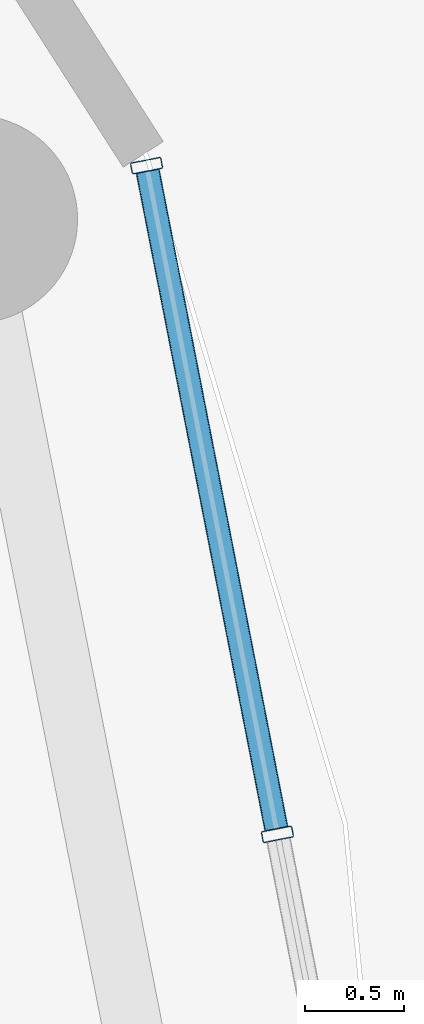
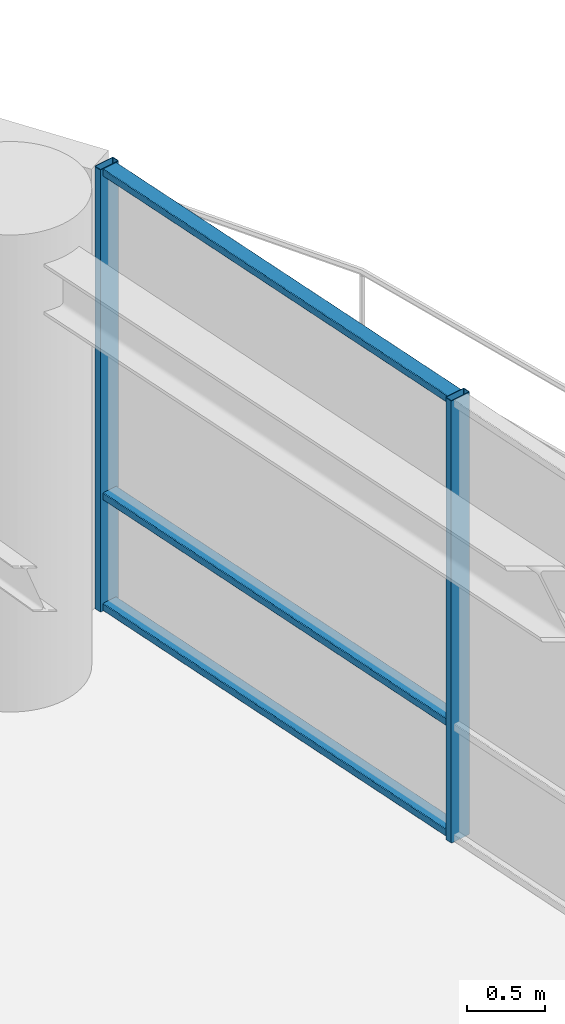
# One storey, part 16 of 31: 5 members, 1 element without a shape of its own.
"""IFC4 building model written with IfcOpenShell, lengths in metres."""

from ifc_helpers import new_model, si_unit, direction, frame, origin, origin_2d, place, context, subcontext, project, spatial, hollow_rectangle, extrude, material, layer, layer_set, material_profile, profile_set, type_object, element, aggregate, save


model = new_model("IFC4")

# Units and contexts
model_context = context("Model", 3, precision=1e-05, world=origin(), true_north=direction((0.0, 1.0)))
body_context = subcontext(model_context, "Body", "Model", "MODEL_VIEW")
ifc_project = project(units=[si_unit("LENGTHUNIT", "METRE"), si_unit("AREAUNIT", "SQUARE_METRE"), si_unit("VOLUMEUNIT", "CUBIC_METRE"), si_unit("PLANEANGLEUNIT", "RADIAN"), si_unit("MASSUNIT", "GRAM", prefix="KILO")], contexts=[model_context])

# Site, building, storey
site_placement = place(None, origin())
site = spatial("IfcSite", under=ifc_project, at=site_placement, CompositionType="ELEMENT")
building_placement = place(site_placement, origin())
building = spatial("IfcBuilding", under=site, at=building_placement, Name="Kelanora Arch Commons", CompositionType="ELEMENT")
storey_placement = place(building_placement, frame((0.0, 0.0, 226.949951171875)))
storey = spatial("IfcBuildingStorey", under=building, at=storey_placement, Name="L58", CompositionType="ELEMENT", Elevation=226.949951171875)

# Curtain wall, members
ifc_material_1 = material(Name="Terracotta ceramic-fritted low-E glass and aluminium", Category="masonry")
ifc_layer = layer(ifc_material_1, 0.175048828125)
ifc_layer_set = layer_set([ifc_layer], Name="Terracotta ceramic-fritted low-E glass and aluminium")
curtain_wall_type = type_object("IfcCurtainWallType", Name="CW-SYS-02", PredefinedType="NOTDEFINED", material=ifc_layer_set)
curtain_wall_placement = place(storey_placement, origin())
curtain_wall = element("IfcCurtainWall", 1, at=curtain_wall_placement, inside=storey, type_object=curtain_wall_type, Name="Unitised Curtain Wall L58-B00", PredefinedType="NOTDEFINED")
ifc_material_2 = material(Name="Powder-coated aluminium terracotta", Category="masonry")
ifc_material_profile_1 = material_profile(ifc_material_2, hollow_rectangle(XDim=0.159912109375, YDim=0.06005859375, WallThickness=0.0048828125, InnerFilletRadius=0.0048828125, OuterFilletRadius=0.010009765625, at=origin_2d()), Name="CWM160x60")
ifc_profile_set_1 = profile_set([ifc_material_profile_1], Name="Powder-coated aluminium terracotta")
member_type_1 = type_object("IfcMemberType", Name="CWM-STD", PredefinedType="MULLION", material=ifc_profile_set_1)
member_1_placement = place(storey_placement, frame((95.530517578125, 61.420166015625, 0.0), z_axis=(0.0, 0.0, 1.0), x_axis=(-0.981381438349, -0.192068926335, 0.0)))
member_1 = element("IfcMember", 2, at=member_1_placement, type_object=member_type_1, Name="CW-02 mullion 2", PredefinedType="MULLION", context=body_context, shape_type="SweptSolid", body=[
    extrude(hollow_rectangle(XDim=0.159912109375, YDim=0.06005859375, WallThickness=0.0048828125, InnerFilletRadius=0.0048828125, OuterFilletRadius=0.010009765625, at=origin_2d()), origin(), (0.0, 0.0, 1.0), 3.47509765625),
])
member_2_placement = place(storey_placement, frame((94.869873046875, 64.796142578125, 0.0), z_axis=(0.0, 0.0, 1.0), x_axis=(-0.981381438349, -0.192068926335, 0.0)))
member_2 = element("IfcMember", 3, at=member_2_placement, type_object=member_type_1, Name="CW-02 mullion 3", PredefinedType="MULLION", context=body_context, shape_type="SweptSolid", body=[
    extrude(hollow_rectangle(XDim=0.159912109375, YDim=0.06005859375, WallThickness=0.0048828125, InnerFilletRadius=0.0048828125, OuterFilletRadius=0.010009765625, at=origin_2d()), origin(), (0.0, 0.0, 1.0), 3.47509765625),
])
ifc_material_profile_2 = material_profile(ifc_material_2, hollow_rectangle(XDim=0.1201171875, YDim=0.06005859375, WallThickness=0.0048828125, InnerFilletRadius=0.0048828125, OuterFilletRadius=0.010009765625, at=origin_2d()), Name="CWT120x60")
ifc_profile_set_2 = profile_set([ifc_material_profile_2], Name="Powder-coated aluminium terracotta")
member_type_2 = type_object("IfcMemberType", Name="CWT-STD", PredefinedType="USERDEFINED", material=ifc_profile_set_2)
member_3_placement = place(storey_placement, frame((95.52490234375, 61.44970703125, 0.030029296875), z_axis=(-0.192058488005, 0.981383481207, 0.0), x_axis=(-0.981383481207, -0.192058488005, 0.0)))
member_3 = element("IfcMember", 4, at=member_3_placement, type_object=member_type_2, Name="CW-02 transom 2.1", ObjectType="TRANSOM", PredefinedType="USERDEFINED", context=body_context, shape_type="SweptSolid", body=[
    extrude(hollow_rectangle(XDim=0.1201171875, YDim=0.06005859375, WallThickness=0.0048828125, InnerFilletRadius=0.0048828125, OuterFilletRadius=0.010009765625, at=origin_2d()), origin(), (0.0, 0.0, 1.0), 3.380126953125),
])
member_4_placement = place(storey_placement, frame((95.52490234375, 61.44970703125, 0.900146484375), z_axis=(-0.192058488005, 0.981383481207, 0.0), x_axis=(-0.981383481207, -0.192058488005, 0.0)))
member_4 = element("IfcMember", 5, at=member_4_placement, type_object=member_type_2, Name="CW-02 transom 2.2", ObjectType="TRANSOM", PredefinedType="USERDEFINED", context=body_context, shape_type="SweptSolid", body=[
    extrude(hollow_rectangle(XDim=0.1201171875, YDim=0.06005859375, WallThickness=0.0048828125, InnerFilletRadius=0.0048828125, OuterFilletRadius=0.010009765625, at=origin_2d()), origin(), (0.0, 0.0, 1.0), 3.380126953125),
])
member_5_placement = place(storey_placement, frame((95.52490234375, 61.44970703125, 3.445068359375), z_axis=(-0.192058488005, 0.981383481207, 0.0), x_axis=(-0.981383481207, -0.192058488005, 0.0)))
member_5 = element("IfcMember", 6, at=member_5_placement, type_object=member_type_2, Name="CW-02 transom 2.3", ObjectType="TRANSOM", PredefinedType="USERDEFINED", context=body_context, shape_type="SweptSolid", body=[
    extrude(hollow_rectangle(XDim=0.1201171875, YDim=0.06005859375, WallThickness=0.0048828125, InnerFilletRadius=0.0048828125, OuterFilletRadius=0.010009765625, at=origin_2d()), origin(), (0.0, 0.0, 1.0), 3.380126953125),
])
aggregate(curtain_wall, [member_1, member_2, member_3, member_4, member_5])

save(model, "model.ifc")
